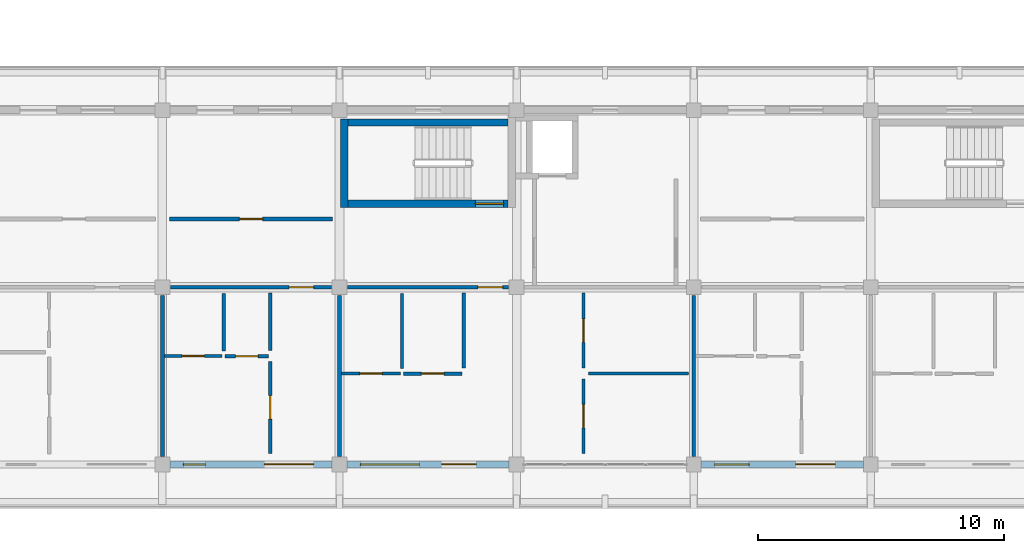
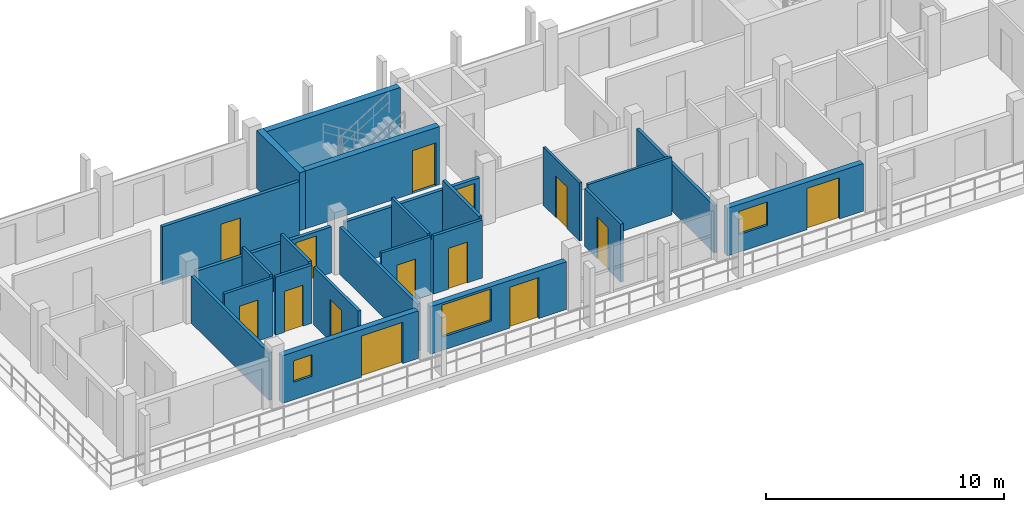
# One storey, part 51 of 76: 24 walls, 14 doors, 3 windows, 17 openings.
"""IFC4 building model written with IfcOpenShell, lengths in metres."""

from ifc_helpers import new_model, si_unit, direction, frame, frame_2d, origin, place, context, subcontext, project, spatial, rectangle, extrude, material, layer, layer_set, type_object, element, fill, save


model = new_model("IFC4")

# Units and contexts
model_context = context("Model", 3, precision=1e-05, world=origin(), true_north=direction((0.0, 1.0)))
body_context = subcontext(model_context, "Body", "Model", "MODEL_VIEW")
ifc_project = project(units=[si_unit("LENGTHUNIT", "METRE"), si_unit("AREAUNIT", "SQUARE_METRE"), si_unit("VOLUMEUNIT", "CUBIC_METRE"), si_unit("PLANEANGLEUNIT", "RADIAN"), si_unit("MASSUNIT", "GRAM", prefix="KILO")], contexts=[model_context])

# Site, building, storey
site_placement = place(None, origin())
site = spatial("IfcSite", under=ifc_project, at=site_placement, CompositionType="ELEMENT")
building_placement = place(site_placement, origin())
building = spatial("IfcBuilding", under=site, at=building_placement, Name="Suanplinth Sawtooth Commons", CompositionType="ELEMENT")
storey_placement = place(building_placement, frame((0.0, 0.0, 12.199951171875)))
storey = spatial("IfcBuildingStorey", under=building, at=storey_placement, Name="L03", CompositionType="ELEMENT", Elevation=12.199951171875)

# Wall, opening, door
ifc_material_1 = material(Name="Concrete C40/50", Category="concrete")
ifc_layer_1 = layer(ifc_material_1, 0.300048828125, Name="Standard RC stair and lift core wall 300mm")
ifc_layer_set_1 = layer_set([ifc_layer_1], Name="Concrete C40/50")
wall_type_1 = type_object("IfcWallType", Name="W-CR02", PredefinedType="SHEAR", material=ifc_layer_set_1)
wall_1_placement = place(storey_placement, frame((137.14990234375, 10.60009765625, 0.0), z_axis=(0.0, 0.0, 1.0), x_axis=(1.0, 0.0, 0.0)))
wall_1 = element("IfcWall", 1, at=wall_1_placement, inside=storey, type_object=wall_type_1, Name="W-L03-C-C1-STS", PredefinedType="SHEAR", context=body_context, shape_type="SweptSolid", body=[
    extrude(rectangle(XDim=6.5, YDim=0.300048828125, at=frame_2d((3.25, 0.0))), origin(), (0.0, 0.0, 1.0), 2.97998046875),
])
opening_1_placement = place(wall_1_placement, frame((5.169921875, 0.0, 0.0)))
opening_1 = element("IfcOpeningElement", 2, at=opening_1_placement, cuts=wall_1, Name="Opening FD0292", PredefinedType="OPENING", context=body_context, shape_type="SweptSolid", body=[
    extrude(rectangle(XDim=1.14990234375, YDim=2.199951171875, at=frame_2d((0.574951171875, 1.10009765625))), frame((0.0, 0.1650390625, 0.0), z_axis=(0.0, -1.0, 0.0), x_axis=(1.0, 0.0, 0.0)), (0.0, 0.0, 1.0), 0.329833984375),
])
ifc_material_2 = material(Name="Teak hardwood fire-rated door assembly", Category="wood")
door_type_1 = type_object("IfcDoorType", Name="FD-01", OperationType="NOTDEFINED", PredefinedType="DOOR", material=ifc_material_2)
door_1_placement = place(opening_1_placement, origin())
door_1 = element("IfcDoor", 3, at=door_1_placement, inside=storey, type_object=door_type_1, Name="Exit Stair Fire Door FD0292", OperationType="SINGLE_SWING_LEFT", OverallHeight=2.199951171875, OverallWidth=1.14990234375, PredefinedType="DOOR", context=body_context, shape_type="SweptSolid", body=[
    extrude(rectangle(XDim=1.14990234375, YDim=2.199951171875, at=frame_2d((0.574951171875, 1.10009765625))), frame((0.0, 0.02490234375, 0.0), z_axis=(0.0, -1.0, 0.0), x_axis=(1.0, 0.0, 0.0)), (0.0, 0.0, 1.0), 0.050048828125),
])
fill(opening_1, door_1)

# Walls
wall_2_placement = place(storey_placement, frame((137.14990234375, 13.89990234375, 0.0), z_axis=(0.0, 0.0, 1.0), x_axis=(1.0, 0.0, 0.0)))
element("IfcWall", 4, at=wall_2_placement, inside=storey, type_object=wall_type_1, Name="W-L03-C-C1-STN", PredefinedType="SHEAR", context=body_context, shape_type="SweptSolid", body=[
    extrude(rectangle(XDim=6.5, YDim=0.300048828125, at=frame_2d((3.25, 0.0))), origin(), (0.0, 0.0, 1.0), 2.97998046875),
])
wall_3_placement = place(storey_placement, frame((137.0, 10.449951171875, 0.0), z_axis=(0.0, 0.0, 1.0), x_axis=(0.0, 1.0, 0.0)))
element("IfcWall", 5, at=wall_3_placement, inside=storey, type_object=wall_type_1, Name="W-L03-C-C1-STW", PredefinedType="SHEAR", context=body_context, shape_type="SweptSolid", body=[
    extrude(rectangle(XDim=3.60009765625, YDim=0.300048828125, at=frame_2d((1.800048828125, 0.0))), origin(), (0.0, 0.0, 1.0), 2.97998046875),
])

# Wall, openings, door, window
ifc_material_3 = material(Name="Precast concrete C40/50", Category="concrete")
ifc_layer_2 = layer(ifc_material_3, 0.280029296875, Name="Insulated precast architectural facade wall 280mm")
ifc_layer_set_2 = layer_set([ifc_layer_2], Name="Precast concrete C40/50")
wall_type_2 = type_object("IfcWallType", Name="W-EX01", PredefinedType="ELEMENTEDWALL", material=ifc_layer_set_2)
wall_4_placement = place(storey_placement, frame((129.89990234375, 0.0, 0.0), z_axis=(0.0, 0.0, 1.0), x_axis=(1.0, 0.0, 0.0)))
wall_4 = element("IfcWall", 6, at=wall_4_placement, inside=storey, type_object=wall_type_2, Name="Facade Wall W-L03-C-S-18-0", PredefinedType="ELEMENTEDWALL", context=body_context, shape_type="SweptSolid", body=[
    extrude(rectangle(XDim=6.60009765625, YDim=0.280029296875, at=frame_2d((3.300048828125, 0.0))), origin(), (0.0, 0.0, 1.0), 2.445068359375),
])
opening_2_placement = place(wall_4_placement, frame((3.85009765625, 0.0, 0.0)))
opening_2 = element("IfcOpeningElement", 7, at=opening_2_placement, cuts=wall_4, Name="Opening ED0270", PredefinedType="OPENING", context=body_context, shape_type="SweptSolid", body=[
    extrude(rectangle(XDim=2.0, YDim=2.1201171875, at=frame_2d((1.0, 1.06005859375))), frame((0.0, 0.15478515625, 0.0), z_axis=(0.0, -1.0, 0.0), x_axis=(1.0, 0.0, 0.0)), (0.0, 0.0, 1.0), 0.309814453125),
])
opening_3_placement = place(wall_4_placement, frame((0.550048828125, 0.0, 0.89990234375)))
opening_3 = element("IfcOpeningElement", 8, at=opening_3_placement, cuts=wall_4, Name="Opening W0376", PredefinedType="OPENING", context=body_context, shape_type="SweptSolid", body=[
    extrude(rectangle(XDim=0.89990234375, YDim=1.10009765625, at=frame_2d((0.449951171875, 0.550048828125))), frame((0.0, 0.15478515625, 0.0), z_axis=(0.0, -1.0, 0.0), x_axis=(1.0, 0.0, 0.0)), (0.0, 0.0, 1.0), 0.309814453125),
])
ifc_material_4 = material(Name="Anodized aluminium and low-E glass", Category="aluminium")
door_type_2 = type_object("IfcDoorType", Name="SD-06", OperationType="DOUBLE_DOOR_SLIDING", PredefinedType="DOOR", material=ifc_material_4)
door_2_placement = place(opening_2_placement, frame((2.0, 0.0, 0.0), z_axis=(0.0, 0.0, 1.0), x_axis=(-1.0, 0.0, 0.0)))
door_2 = element("IfcDoor", 9, at=door_2_placement, inside=storey, type_object=door_type_2, Name="Balcony Sliding Door L03-C-18", OperationType="DOUBLE_DOOR_SLIDING", OverallHeight=2.1201171875, OverallWidth=2.0, PredefinedType="DOOR", context=body_context, shape_type="SweptSolid", body=[
    extrude(rectangle(XDim=2.0, YDim=2.1201171875, at=frame_2d((1.0, 1.06005859375))), frame((0.0, 0.02490234375, 0.0), z_axis=(0.0, -1.0, 0.0), x_axis=(1.0, 0.0, 0.0)), (0.0, 0.0, 1.0), 0.050048828125),
])
fill(opening_2, door_2)
ifc_material_5 = material(Name="Thermally broken aluminium and low-E double glazing", Category="aluminium")
window_type_1 = type_object("IfcWindowType", Name="WN-04", PartitioningType="SINGLE_PANEL", PredefinedType="WINDOW", material=ifc_material_5)
window_1_placement = place(opening_3_placement, origin())
window_1 = element("IfcWindow", 10, at=window_1_placement, inside=storey, type_object=window_type_1, Name="Apartment Window L03-C-18", OverallHeight=1.10009765625, OverallWidth=0.89990234375, PartitioningType="SINGLE_PANEL", PredefinedType="WINDOW", context=body_context, shape_type="SweptSolid", body=[
    extrude(rectangle(XDim=0.89990234375, YDim=1.10009765625, at=frame_2d((0.449951171875, 0.550048828125))), frame((0.0, 0.030029296875, 0.0), z_axis=(0.0, -1.0, 0.0), x_axis=(1.0, 0.0, 0.0)), (0.0, 0.0, 1.0), 0.06005859375),
])
fill(opening_3, window_1)

wall_5_placement = place(storey_placement, frame((137.10009765625, 0.0, 0.0), z_axis=(0.0, 0.0, 1.0), x_axis=(1.0, 0.0, 0.0)))
wall_5 = element("IfcWall", 11, at=wall_5_placement, inside=storey, type_object=wall_type_2, Name="Facade Wall W-L03-C-S-19-0", PredefinedType="ELEMENTEDWALL", context=body_context, shape_type="SweptSolid", body=[
    extrude(rectangle(XDim=6.599853515625, YDim=0.280029296875, at=frame_2d((3.2998046875, 0.0))), origin(), (0.0, 0.0, 1.0), 2.445068359375),
])
opening_4_placement = place(wall_5_placement, frame((3.85009765625, 0.0, 0.0)))
opening_4 = element("IfcOpeningElement", 12, at=opening_4_placement, cuts=wall_5, Name="Opening ED0272", PredefinedType="OPENING", context=body_context, shape_type="SweptSolid", body=[
    extrude(rectangle(XDim=1.39990234375, YDim=2.10009765625, at=frame_2d((0.699951171875, 1.050048828125))), frame((0.0, 0.15478515625, 0.0), z_axis=(0.0, -1.0, 0.0), x_axis=(1.0, 0.0, 0.0)), (0.0, 0.0, 1.0), 0.309814453125),
])
opening_5_placement = place(wall_5_placement, frame((0.550048828125, 0.0, 0.68505859375)))
opening_5 = element("IfcOpeningElement", 13, at=opening_5_placement, cuts=wall_5, Name="Opening W0378", PredefinedType="OPENING", context=body_context, shape_type="SweptSolid", body=[
    extrude(rectangle(XDim=2.39990234375, YDim=1.64990234375, at=frame_2d((1.199951171875, 0.824951171875))), frame((0.0, 0.15478515625, 0.0), z_axis=(0.0, -1.0, 0.0), x_axis=(1.0, 0.0, 0.0)), (0.0, 0.0, 1.0), 0.309814453125),
])
door_type_3 = type_object("IfcDoorType", Name="SD-07", OperationType="SLIDING_TO_RIGHT", PredefinedType="DOOR", material=ifc_material_4)
door_3_placement = place(opening_4_placement, frame((1.39990234375, 0.0, 0.0), z_axis=(0.0, 0.0, 1.0), x_axis=(-1.0, 0.0, 0.0)))
door_3 = element("IfcDoor", 14, at=door_3_placement, inside=storey, type_object=door_type_3, Name="Balcony Sliding Door L03-C-19", OperationType="SLIDING_TO_RIGHT", OverallHeight=2.10009765625, OverallWidth=1.39990234375, PredefinedType="DOOR", context=body_context, shape_type="SweptSolid", body=[
    extrude(rectangle(XDim=1.39990234375, YDim=2.10009765625, at=frame_2d((0.699951171875, 1.050048828125))), frame((0.0, 0.02490234375, 0.0), z_axis=(0.0, -1.0, 0.0), x_axis=(1.0, 0.0, 0.0)), (0.0, 0.0, 1.0), 0.050048828125),
])
fill(opening_4, door_3)
window_type_2 = type_object("IfcWindowType", Name="WN-05", PartitioningType="TRIPLE_PANEL_VERTICAL", PredefinedType="WINDOW", material=ifc_material_5)
window_2_placement = place(opening_5_placement, origin())
window_2 = element("IfcWindow", 15, at=window_2_placement, inside=storey, type_object=window_type_2, Name="Apartment Window L03-C-19", OverallHeight=1.64990234375, OverallWidth=2.39990234375, PartitioningType="TRIPLE_PANEL_VERTICAL", PredefinedType="WINDOW", context=body_context, shape_type="SweptSolid", body=[
    extrude(rectangle(XDim=2.39990234375, YDim=1.64990234375, at=frame_2d((1.199951171875, 0.824951171875))), frame((0.0, 0.030029296875, 0.0), z_axis=(0.0, -1.0, 0.0), x_axis=(1.0, 0.0, 0.0)), (0.0, 0.0, 1.0), 0.06005859375),
])
fill(opening_5, window_2)

wall_6_placement = place(storey_placement, frame((151.5, 0.0, 0.0), z_axis=(0.0, 0.0, 1.0), x_axis=(1.0, 0.0, 0.0)))
wall_6 = element("IfcWall", 16, at=wall_6_placement, inside=storey, type_object=wall_type_2, Name="Facade Wall W-L03-C-S-21-0", PredefinedType="ELEMENTEDWALL", context=body_context, shape_type="SweptSolid", body=[
    extrude(rectangle(XDim=6.60009765625, YDim=0.280029296875, at=frame_2d((3.300048828125, 0.0))), origin(), (0.0, 0.0, 1.0), 2.445068359375),
])
opening_6_placement = place(wall_6_placement, frame((3.85009765625, 0.0, 0.0)))
opening_6 = element("IfcOpeningElement", 17, at=opening_6_placement, cuts=wall_6, Name="Opening ED0273", PredefinedType="OPENING", context=body_context, shape_type="SweptSolid", body=[
    extrude(rectangle(XDim=1.60009765625, YDim=2.1201171875, at=frame_2d((0.800048828125, 1.06005859375))), frame((0.0, 0.15478515625, 0.0), z_axis=(0.0, -1.0, 0.0), x_axis=(1.0, 0.0, 0.0)), (0.0, 0.0, 1.0), 0.309814453125),
])
opening_7_placement = place(wall_6_placement, frame((0.550048828125, 0.0, 0.89990234375)))
opening_7 = element("IfcOpeningElement", 18, at=opening_7_placement, cuts=wall_6, Name="Opening W0381", PredefinedType="OPENING", context=body_context, shape_type="SweptSolid", body=[
    extrude(rectangle(XDim=1.39990234375, YDim=1.199951171875, at=frame_2d((0.699951171875, 0.60009765625))), frame((0.0, 0.15478515625, 0.0), z_axis=(0.0, -1.0, 0.0), x_axis=(1.0, 0.0, 0.0)), (0.0, 0.0, 1.0), 0.309814453125),
])
door_type_4 = type_object("IfcDoorType", Name="SD-02", OperationType="SLIDING_TO_RIGHT", PredefinedType="DOOR", material=ifc_material_4)
door_4_placement = place(opening_6_placement, frame((1.60009765625, 0.0, 0.0), z_axis=(0.0, 0.0, 1.0), x_axis=(-1.0, 0.0, 0.0)))
door_4 = element("IfcDoor", 19, at=door_4_placement, inside=storey, type_object=door_type_4, Name="Balcony Sliding Door L03-C-21", OperationType="SLIDING_TO_RIGHT", OverallHeight=2.1201171875, OverallWidth=1.60009765625, PredefinedType="DOOR", context=body_context, shape_type="SweptSolid", body=[
    extrude(rectangle(XDim=1.60009765625, YDim=2.1201171875, at=frame_2d((0.800048828125, 1.06005859375))), frame((0.0, 0.02490234375, 0.0), z_axis=(0.0, -1.0, 0.0), x_axis=(1.0, 0.0, 0.0)), (0.0, 0.0, 1.0), 0.050048828125),
])
fill(opening_6, door_4)
window_type_3 = type_object("IfcWindowType", Name="WN-10", PartitioningType="DOUBLE_PANEL_HORIZONTAL", PredefinedType="WINDOW", material=ifc_material_5)
window_3_placement = place(opening_7_placement, origin())
window_3 = element("IfcWindow", 20, at=window_3_placement, inside=storey, type_object=window_type_3, Name="Apartment Window L03-C-21", OverallHeight=1.199951171875, OverallWidth=1.39990234375, PartitioningType="DOUBLE_PANEL_HORIZONTAL", PredefinedType="WINDOW", context=body_context, shape_type="SweptSolid", body=[
    extrude(rectangle(XDim=1.39990234375, YDim=1.199951171875, at=frame_2d((0.699951171875, 0.60009765625))), frame((0.0, 0.030029296875, 0.0), z_axis=(0.0, -1.0, 0.0), x_axis=(1.0, 0.0, 0.0)), (0.0, 0.0, 1.0), 0.06005859375),
])
fill(opening_7, window_3)

# Wall, opening, door
ifc_layer_3 = layer(ifc_material_3, 0.159912109375, Name="Fire-rated corridor and lobby wall 160mm")
ifc_layer_set_3 = layer_set([ifc_layer_3], Name="Precast concrete C40/50")
wall_type_3 = type_object("IfcWallType", Name="W-FW01", PredefinedType="PARTITIONING", material=ifc_layer_set_3)
wall_7_placement = place(storey_placement, frame((129.929931640625, 7.199951171875, 0.0), z_axis=(0.0, 0.0, 1.0), x_axis=(1.0, 0.0, 0.0)))
wall_7 = element("IfcWall", 21, at=wall_7_placement, inside=storey, type_object=wall_type_3, Name="W-C-L03-U02-COR", PredefinedType="PARTITIONING", context=body_context, shape_type="SweptSolid", body=[
    extrude(rectangle(XDim=6.5400390625, YDim=0.159912109375, at=frame_2d((3.27001953125, 0.0))), origin(), (0.0, 0.0, 1.0), 2.364990234375),
])
opening_8_placement = place(wall_7_placement, frame((4.820068359375, 0.0, 0.0)))
opening_8 = element("IfcOpeningElement", 22, at=opening_8_placement, cuts=wall_7, Name="Opening FD0964", PredefinedType="OPENING", context=body_context, shape_type="SweptSolid", body=[
    extrude(rectangle(XDim=1.0, YDim=2.14990234375, at=frame_2d((0.5, 1.074951171875))), frame((0.0, 0.0947265625, 0.0), z_axis=(0.0, -1.0, 0.0), x_axis=(1.0, 0.0, 0.0)), (0.0, 0.0, 1.0), 0.189697265625),
])
door_type_5 = type_object("IfcDoorType", Name="FD-03", OperationType="NOTDEFINED", PredefinedType="DOOR", material=ifc_material_2)
door_5_placement = place(opening_8_placement, frame((1.0, 0.0, 0.0), z_axis=(0.0, 0.0, 1.0), x_axis=(-1.0, 0.0, 0.0)))
door_5 = element("IfcDoor", 23, at=door_5_placement, inside=storey, type_object=door_type_5, Name="Unit Entrance Door FD0964", OperationType="SINGLE_SWING_RIGHT", OverallHeight=2.14990234375, OverallWidth=1.0, PredefinedType="DOOR", context=body_context, shape_type="SweptSolid", body=[
    extrude(rectangle(XDim=1.0, YDim=2.14990234375, at=frame_2d((0.5, 1.074951171875))), frame((0.0, 0.02490234375, 0.0), z_axis=(0.0, -1.0, 0.0), x_axis=(1.0, 0.0, 0.0)), (0.0, 0.0, 1.0), 0.050048828125),
])
fill(opening_8, door_5)

wall_8_placement = place(storey_placement, frame((137.1298828125, 7.199951171875, 0.0), z_axis=(0.0, 0.0, 1.0), x_axis=(1.0, 0.0, 0.0)))
wall_8 = element("IfcWall", 24, at=wall_8_placement, inside=storey, type_object=wall_type_3, Name="W-C-L03-U03-COR-S1", PredefinedType="PARTITIONING", context=body_context, shape_type="SweptSolid", body=[
    extrude(rectangle(XDim=6.5400390625, YDim=0.159912109375, at=frame_2d((3.27001953125, 0.0))), origin(), (0.0, 0.0, 1.0), 2.364990234375),
])
opening_9_placement = place(wall_8_placement, frame((5.300048828125, 0.0, 0.0)))
opening_9 = element("IfcOpeningElement", 25, at=opening_9_placement, cuts=wall_8, Name="Opening FD0968", PredefinedType="OPENING", context=body_context, shape_type="SweptSolid", body=[
    extrude(rectangle(XDim=1.0, YDim=2.14990234375, at=frame_2d((0.5, 1.074951171875))), frame((0.0, 0.0947265625, 0.0), z_axis=(0.0, -1.0, 0.0), x_axis=(1.0, 0.0, 0.0)), (0.0, 0.0, 1.0), 0.189697265625),
])
door_6_placement = place(opening_9_placement, frame((1.0, 0.0, 0.0), z_axis=(0.0, 0.0, 1.0), x_axis=(-1.0, 0.0, 0.0)))
door_6 = element("IfcDoor", 26, at=door_6_placement, inside=storey, type_object=door_type_5, Name="Unit Entrance Door FD0968", OperationType="SINGLE_SWING_RIGHT", OverallHeight=2.14990234375, OverallWidth=1.0, PredefinedType="DOOR", context=body_context, shape_type="SweptSolid", body=[
    extrude(rectangle(XDim=1.0, YDim=2.14990234375, at=frame_2d((0.5, 1.074951171875))), frame((0.0, 0.02490234375, 0.0), z_axis=(0.0, -1.0, 0.0), x_axis=(1.0, 0.0, 0.0)), (0.0, 0.0, 1.0), 0.050048828125),
])
fill(opening_9, door_6)

wall_9_placement = place(storey_placement, frame((129.8798828125, 9.97998046875, 0.0), z_axis=(0.0, 0.0, 1.0), x_axis=(1.0, 0.0, 0.0)))
wall_9 = element("IfcWall", 27, at=wall_9_placement, inside=storey, type_object=wall_type_3, Name="W-C-L03-COURTROOM-49-COR", PredefinedType="PARTITIONING", context=body_context, shape_type="SweptSolid", body=[
    extrude(rectangle(XDim=6.64013671875, YDim=0.159912109375, at=frame_2d((3.320068359375, 0.0))), origin(), (0.0, 0.0, 1.0), 2.97998046875),
])
opening_10_placement = place(wall_9_placement, frame((2.85009765625, 0.0, 0.0)))
opening_10 = element("IfcOpeningElement", 28, at=opening_10_placement, cuts=wall_9, Name="Opening D0990", PredefinedType="OPENING", context=body_context, shape_type="SweptSolid", body=[
    extrude(rectangle(XDim=0.93994140625, YDim=2.1201171875, at=frame_2d((0.469970703125, 1.06005859375))), frame((0.0, 0.0947265625, 0.0), z_axis=(0.0, -1.0, 0.0), x_axis=(1.0, 0.0, 0.0)), (0.0, 0.0, 1.0), 0.189697265625),
])
ifc_material_6 = material(Name="Teak hardwood", Category="wood")
door_type_6 = type_object("IfcDoorType", Name="D-15", OperationType="NOTDEFINED", PredefinedType="DOOR", material=ifc_material_6)
door_7_placement = place(opening_10_placement, origin())
door_7 = element("IfcDoor", 29, at=door_7_placement, inside=storey, type_object=door_type_6, Name="Study Studio Door D0990", OperationType="SINGLE_SWING_RIGHT", OverallHeight=2.1201171875, OverallWidth=0.93994140625, PredefinedType="DOOR", context=body_context, shape_type="SweptSolid", body=[
    extrude(rectangle(XDim=0.93994140625, YDim=2.1201171875, at=frame_2d((0.469970703125, 1.06005859375))), frame((0.0, 0.02490234375, 0.0), z_axis=(0.0, -1.0, 0.0), x_axis=(1.0, 0.0, 0.0)), (0.0, 0.0, 1.0), 0.050048828125),
])
fill(opening_10, door_7)

# Walls
ifc_layer_4 = layer(ifc_material_3, 0.14990234375, Name="Acoustic precast party demising wall 150mm")
ifc_layer_set_4 = layer_set([ifc_layer_4], Name="Precast concrete C40/50")
wall_type_4 = type_object("IfcWallType", Name="W-FW02", PredefinedType="PARTITIONING", material=ifc_layer_set_4)
for number, where, z_axis, x_axis, name in (
    (30, (129.60009765625, 0.330078125, 0.0), (0.0, 0.0, 1.0), (0.0, 1.0, 0.0), "W-C-L03-U01-PTY"),
    (31, (136.800048828125, 0.330078125, 0.0), (0.0, 0.0, 1.0), (0.0, 1.0, 0.0), "W-C-L03-U02-PTY"),
    (32, (151.199951171875, 0.330078125, 0.0), (0.0, 0.0, 1.0), (0.0, 1.0, 0.0), "W-C-L03-U03-PTY"),
):
    element("IfcWall", number, at=place(storey_placement, frame(where, z_axis=z_axis, x_axis=x_axis)), inside=storey, type_object=wall_type_4, Name=name, PredefinedType="PARTITIONING", context=body_context, shape_type="SweptSolid", body=[
        extrude(rectangle(XDim=6.5400390625, YDim=0.14990234375, at=frame_2d((3.27001953125, 0.0))), origin(), (0.0, 0.0, 1.0), 2.4150390625),
    ])

# Wall, opening, door
ifc_material_7 = material(Name="Gypsum plasterboard on steel stud", Category="steel")
ifc_layer_5 = layer(ifc_material_7, 0.139892578125, Name="Fire-rated kitchen partition 140mm")
ifc_layer_set_5 = layer_set([ifc_layer_5], Name="Gypsum plasterboard on steel stud")
wall_type_5 = type_object("IfcWallType", Name="W-PT01", PredefinedType="PARTITIONING", material=ifc_layer_set_5)
wall_10_placement = place(storey_placement, frame((132.14990234375, 4.39990234375, 0.0), z_axis=(0.0, 0.0, 1.0), x_axis=(1.0, 0.0, 0.0)))
wall_10 = element("IfcWall", 33, at=wall_10_placement, inside=storey, type_object=wall_type_5, Name="W-C-L03-U02-KIT1", PredefinedType="PARTITIONING", context=body_context, shape_type="SweptSolid", body=[
    extrude(rectangle(XDim=1.77001953125, YDim=0.139892578125, at=frame_2d((0.885009765625, 0.0))), origin(), (0.0, 0.0, 1.0), 2.97998046875),
])
opening_11_placement = place(wall_10_placement, frame((0.425048828125, 0.0, 0.0)))
opening_11 = element("IfcOpeningElement", 34, at=opening_11_placement, cuts=wall_10, Name="Opening D0966", PredefinedType="OPENING", context=body_context, shape_type="SweptSolid", body=[
    extrude(rectangle(XDim=0.919921875, YDim=2.10009765625, at=frame_2d((0.4599609375, 1.050048828125))), frame((0.0, 0.0849609375, 0.0), z_axis=(0.0, -1.0, 0.0), x_axis=(1.0, 0.0, 0.0)), (0.0, 0.0, 1.0), 0.169677734375),
])
door_type_7 = type_object("IfcDoorType", Name="D-02", OperationType="NOTDEFINED", PredefinedType="DOOR", material=ifc_material_6)
door_8_placement = place(opening_11_placement, origin())
door_8 = element("IfcDoor", 35, at=door_8_placement, inside=storey, type_object=door_type_7, Name="Kitchen Door D0966", OperationType="SINGLE_SWING_RIGHT", OverallHeight=2.10009765625, OverallWidth=0.919921875, PredefinedType="DOOR", context=body_context, shape_type="SweptSolid", body=[
    extrude(rectangle(XDim=0.919921875, YDim=2.10009765625, at=frame_2d((0.4599609375, 1.050048828125))), frame((0.0, 0.02490234375, 0.0), z_axis=(0.0, -1.0, 0.0), x_axis=(1.0, 0.0, 0.0)), (0.0, 0.0, 1.0), 0.050048828125),
])
fill(opening_11, door_8)

# Wall
wall_11_placement = place(storey_placement, frame((133.989990234375, 4.6201171875, 0.0), z_axis=(0.0, 0.0, 1.0), x_axis=(0.0, 1.0, 0.0)))
element("IfcWall", 36, at=wall_11_placement, inside=storey, type_object=wall_type_5, Name="W-C-L03-U02-KIT2", PredefinedType="PARTITIONING", context=body_context, shape_type="SweptSolid", body=[
    extrude(rectangle(XDim=2.349853515625, YDim=0.139892578125, at=frame_2d((1.1748046875, 0.0))), origin(), (0.0, 0.0, 1.0), 2.97998046875),
])

# Wall, opening, door
wall_12_placement = place(storey_placement, frame((139.39990234375, 3.68994140625, 0.0), z_axis=(0.0, 0.0, 1.0), x_axis=(1.0, 0.0, 0.0)))
wall_12 = element("IfcWall", 37, at=wall_12_placement, inside=storey, type_object=wall_type_5, Name="W-C-L03-U03-KIT1", PredefinedType="PARTITIONING", context=body_context, shape_type="SweptSolid", body=[
    extrude(rectangle(XDim=2.380126953125, YDim=0.139892578125, at=frame_2d((1.18994140625, 0.0))), origin(), (0.0, 0.0, 1.0), 2.97998046875),
])
opening_12_placement = place(wall_12_placement, frame((0.72998046875, 0.0, 0.0)))
opening_12 = element("IfcOpeningElement", 38, at=opening_12_placement, cuts=wall_12, Name="Opening D0970", PredefinedType="OPENING", context=body_context, shape_type="SweptSolid", body=[
    extrude(rectangle(XDim=0.919921875, YDim=2.10009765625, at=frame_2d((0.4599609375, 1.050048828125))), frame((0.0, 0.0849609375, 0.0), z_axis=(0.0, -1.0, 0.0), x_axis=(1.0, 0.0, 0.0)), (0.0, 0.0, 1.0), 0.169677734375),
])
door_9_placement = place(opening_12_placement, origin())
door_9 = element("IfcDoor", 39, at=door_9_placement, inside=storey, type_object=door_type_7, Name="Kitchen Door D0970", OperationType="SINGLE_SWING_RIGHT", OverallHeight=2.10009765625, OverallWidth=0.919921875, PredefinedType="DOOR", context=body_context, shape_type="SweptSolid", body=[
    extrude(rectangle(XDim=0.919921875, YDim=2.10009765625, at=frame_2d((0.4599609375, 1.050048828125))), frame((0.0, 0.02490234375, 0.0), z_axis=(0.0, -1.0, 0.0), x_axis=(1.0, 0.0, 0.0)), (0.0, 0.0, 1.0), 0.050048828125),
])
fill(opening_12, door_9)

# Wall
wall_13_placement = place(storey_placement, frame((141.85009765625, 3.909912109375, 0.0), z_axis=(0.0, 0.0, 1.0), x_axis=(0.0, 1.0, 0.0)))
element("IfcWall", 40, at=wall_13_placement, inside=storey, type_object=wall_type_5, Name="W-C-L03-U03-KIT2", PredefinedType="PARTITIONING", context=body_context, shape_type="SweptSolid", body=[
    extrude(rectangle(XDim=3.06005859375, YDim=0.139892578125, at=frame_2d((1.530029296875, 0.0))), origin(), (0.0, 0.0, 1.0), 2.97998046875),
])

# Wall, opening, door
ifc_layer_6 = layer(ifc_material_7, 0.1298828125, Name="Moisture-resistant bathroom partition 130mm")
ifc_layer_set_6 = layer_set([ifc_layer_6], Name="Gypsum plasterboard on steel stud")
wall_type_6 = type_object("IfcWallType", Name="W-PT02", PredefinedType="PARTITIONING", material=ifc_layer_set_6)
wall_14_placement = place(storey_placement, frame((129.679931640625, 4.405029296875, 0.0), z_axis=(0.0, 0.0, 1.0), x_axis=(1.0, 0.0, 0.0)))
wall_14 = element("IfcWall", 41, at=wall_14_placement, inside=storey, type_object=wall_type_6, Name="W-C-L03-U02-BTH1", PredefinedType="PARTITIONING", context=body_context, shape_type="SweptSolid", body=[
    extrude(rectangle(XDim=2.35009765625, YDim=0.1298828125, at=frame_2d((1.175048828125, 0.0))), origin(), (0.0, 0.0, 1.0), 2.97998046875),
])
opening_13_placement = place(wall_14_placement, frame((0.72509765625, 0.0, 0.0)))
opening_13 = element("IfcOpeningElement", 42, at=opening_13_placement, cuts=wall_14, Name="Opening D0965", PredefinedType="OPENING", context=body_context, shape_type="SweptSolid", body=[
    extrude(rectangle(XDim=0.89990234375, YDim=2.10009765625, at=frame_2d((0.449951171875, 1.050048828125))), frame((0.0, 0.079833984375, 0.0), z_axis=(0.0, -1.0, 0.0), x_axis=(1.0, 0.0, 0.0)), (0.0, 0.0, 1.0), 0.15966796875),
])
door_type_8 = type_object("IfcDoorType", Name="D-01", OperationType="NOTDEFINED", PredefinedType="DOOR", material=ifc_material_6)
door_10_placement = place(opening_13_placement, origin())
door_10 = element("IfcDoor", 43, at=door_10_placement, inside=storey, type_object=door_type_8, Name="Bathroom Door D0965", OperationType="SINGLE_SWING_LEFT", OverallHeight=2.10009765625, OverallWidth=0.89990234375, PredefinedType="DOOR", context=body_context, shape_type="SweptSolid", body=[
    extrude(rectangle(XDim=0.89990234375, YDim=2.10009765625, at=frame_2d((0.449951171875, 1.050048828125))), frame((0.0, 0.02490234375, 0.0), z_axis=(0.0, -1.0, 0.0), x_axis=(1.0, 0.0, 0.0)), (0.0, 0.0, 1.0), 0.050048828125),
])
fill(opening_13, door_10)

# Wall
wall_15_placement = place(storey_placement, frame((132.094970703125, 4.610107421875, 0.0), z_axis=(0.0, 0.0, 1.0), x_axis=(0.0, 1.0, 0.0)))
element("IfcWall", 44, at=wall_15_placement, inside=storey, type_object=wall_type_6, Name="W-C-L03-U02-BTH2", PredefinedType="PARTITIONING", context=body_context, shape_type="SweptSolid", body=[
    extrude(rectangle(XDim=2.329833984375, YDim=0.1298828125, at=frame_2d((1.1650390625, 0.0))), origin(), (0.0, 0.0, 1.0), 2.97998046875),
])

# Wall, opening, door
wall_16_placement = place(storey_placement, frame((136.8798828125, 3.695068359375, 0.0), z_axis=(0.0, 0.0, 1.0), x_axis=(1.0, 0.0, 0.0)))
wall_16 = element("IfcWall", 45, at=wall_16_placement, inside=storey, type_object=wall_type_6, Name="W-C-L03-U03-BTH1", PredefinedType="PARTITIONING", context=body_context, shape_type="SweptSolid", body=[
    extrude(rectangle(XDim=2.400146484375, YDim=0.1298828125, at=frame_2d((1.2001953125, 0.0))), origin(), (0.0, 0.0, 1.0), 2.97998046875),
])
opening_14_placement = place(wall_16_placement, frame((0.75, 0.0, 0.0)))
opening_14 = element("IfcOpeningElement", 46, at=opening_14_placement, cuts=wall_16, Name="Opening D0969", PredefinedType="OPENING", context=body_context, shape_type="SweptSolid", body=[
    extrude(rectangle(XDim=0.89990234375, YDim=2.10009765625, at=frame_2d((0.449951171875, 1.050048828125))), frame((0.0, 0.079833984375, 0.0), z_axis=(0.0, -1.0, 0.0), x_axis=(1.0, 0.0, 0.0)), (0.0, 0.0, 1.0), 0.15966796875),
])
door_11_placement = place(opening_14_placement, origin())
door_11 = element("IfcDoor", 47, at=door_11_placement, inside=storey, type_object=door_type_8, Name="Bathroom Door D0969", OperationType="SINGLE_SWING_LEFT", OverallHeight=2.10009765625, OverallWidth=0.89990234375, PredefinedType="DOOR", context=body_context, shape_type="SweptSolid", body=[
    extrude(rectangle(XDim=0.89990234375, YDim=2.10009765625, at=frame_2d((0.449951171875, 1.050048828125))), frame((0.0, 0.02490234375, 0.0), z_axis=(0.0, -1.0, 0.0), x_axis=(1.0, 0.0, 0.0)), (0.0, 0.0, 1.0), 0.050048828125),
])
fill(opening_14, door_11)

# Wall
wall_17_placement = place(storey_placement, frame((139.344970703125, 3.89990234375, 0.0), z_axis=(0.0, 0.0, 1.0), x_axis=(0.0, 1.0, 0.0)))
element("IfcWall", 48, at=wall_17_placement, inside=storey, type_object=wall_type_6, Name="W-C-L03-U03-BTH2", PredefinedType="PARTITIONING", context=body_context, shape_type="SweptSolid", body=[
    extrude(rectangle(XDim=3.0400390625, YDim=0.1298828125, at=frame_2d((1.52001953125, 0.0))), origin(), (0.0, 0.0, 1.0), 2.97998046875),
])

# Wall, opening, door
ifc_layer_7 = layer(ifc_material_7, 0.1201171875, Name="Acoustic bedroom partition 120mm")
ifc_layer_set_7 = layer_set([ifc_layer_7], Name="Gypsum plasterboard on steel stud")
wall_type_7 = type_object("IfcWallType", Name="W-PT03", PredefinedType="PARTITIONING", material=ifc_layer_set_7)
wall_18_placement = place(storey_placement, frame((146.719970703125, 3.919921875, 0.0), z_axis=(0.0, 0.0, 1.0), x_axis=(0.0, 1.0, 0.0)))
wall_18 = element("IfcWall", 49, at=wall_18_placement, inside=storey, type_object=wall_type_7, Name="W-C-L03-U03-BED2", PredefinedType="PARTITIONING", context=body_context, shape_type="SweptSolid", body=[
    extrude(rectangle(XDim=3.0400390625, YDim=0.1201171875, at=frame_2d((1.52001953125, 0.0))), origin(), (0.0, 0.0, 1.0), 2.97998046875),
])
opening_15_placement = place(wall_18_placement, frame((1.0400390625, 0.0, 0.0)))
opening_15 = element("IfcOpeningElement", 50, at=opening_15_placement, cuts=wall_18, Name="Opening D0972", PredefinedType="OPENING", context=body_context, shape_type="SweptSolid", body=[
    extrude(rectangle(XDim=0.9599609375, YDim=2.14990234375, at=frame_2d((0.47998046875, 1.074951171875))), frame((0.0, 0.074951171875, 0.0), z_axis=(0.0, -1.0, 0.0), x_axis=(1.0, 0.0, 0.0)), (0.0, 0.0, 1.0), 0.14990234375),
])
door_type_9 = type_object("IfcDoorType", Name="D-13", OperationType="NOTDEFINED", PredefinedType="DOOR", material=ifc_material_6)
door_12_placement = place(opening_15_placement, frame((0.9599609375, 0.0, 0.0), z_axis=(0.0, 0.0, 1.0), x_axis=(-1.0, 0.0, 0.0)))
door_12 = element("IfcDoor", 51, at=door_12_placement, inside=storey, type_object=door_type_9, Name="Second Bedroom Door D0972", OperationType="SINGLE_SWING_RIGHT", OverallHeight=2.14990234375, OverallWidth=0.9599609375, PredefinedType="DOOR", context=body_context, shape_type="SweptSolid", body=[
    extrude(rectangle(XDim=0.9599609375, YDim=2.14990234375, at=frame_2d((0.47998046875, 1.074951171875))), frame((0.0, 0.02490234375, 0.0), z_axis=(0.0, -1.0, 0.0), x_axis=(1.0, 0.0, 0.0)), (0.0, 0.0, 1.0), 0.050048828125),
])
fill(opening_15, door_12)

# Wall
ifc_layer_8 = layer(ifc_material_7, 0.125, Name="Acoustic study partition 125mm")
ifc_layer_set_8 = layer_set([ifc_layer_8], Name="Gypsum plasterboard on steel stud")
wall_type_8 = type_object("IfcWallType", Name="W-PT06", PredefinedType="PARTITIONING", material=ifc_layer_set_8)
wall_19_placement = place(storey_placement, frame((146.919921875, 3.699951171875, 0.0), z_axis=(0.0, 0.0, 1.0), x_axis=(1.0, 0.0, 0.0)))
element("IfcWall", 52, at=wall_19_placement, inside=storey, type_object=wall_type_8, Name="W-C-L03-U03-BEDDIV", PredefinedType="PARTITIONING", context=body_context, shape_type="SweptSolid", body=[
    extrude(rectangle(XDim=4.06005859375, YDim=0.125, at=frame_2d((2.030029296875, 0.0))), origin(), (0.0, 0.0, 1.0), 2.97998046875),
])

# Wall, opening, door
ifc_layer_9 = layer(ifc_material_7, 0.135009765625, Name="Insulated bedroom demising partition 135mm")
ifc_layer_set_9 = layer_set([ifc_layer_9], Name="Gypsum plasterboard on steel stud")
wall_type_9 = type_object("IfcWallType", Name="W-PT07", PredefinedType="PARTITIONING", material=ifc_layer_set_9)
wall_20_placement = place(storey_placement, frame((133.97998046875, 0.43994140625, 0.0), z_axis=(0.0, 0.0, 1.0), x_axis=(0.0, 1.0, 0.0)))
wall_20 = element("IfcWall", 53, at=wall_20_placement, inside=storey, type_object=wall_type_9, Name="W-C-L03-U02-BED1", PredefinedType="PARTITIONING", context=body_context, shape_type="SweptSolid", body=[
    extrude(rectangle(XDim=3.75, YDim=0.135009765625, at=frame_2d((1.875, 0.0))), origin(), (0.0, 0.0, 1.0), 2.97998046875),
])
opening_16_placement = place(wall_20_placement, frame((1.39990234375, 0.0, 0.0)))
opening_16 = element("IfcOpeningElement", 54, at=opening_16_placement, cuts=wall_20, Name="Opening D0967", PredefinedType="OPENING", context=body_context, shape_type="SweptSolid", body=[
    extrude(rectangle(XDim=0.949951171875, YDim=2.14990234375, at=frame_2d((0.47509765625, 1.074951171875))), frame((0.0, 0.08251953125, 0.0), z_axis=(0.0, -1.0, 0.0), x_axis=(1.0, 0.0, 0.0)), (0.0, 0.0, 1.0), 0.164794921875),
])
door_type_10 = type_object("IfcDoorType", Name="D-03", OperationType="NOTDEFINED", PredefinedType="DOOR", material=ifc_material_6)
door_13_placement = place(opening_16_placement, origin())
door_13 = element("IfcDoor", 55, at=door_13_placement, inside=storey, type_object=door_type_10, Name="Bedroom Door D0967", OperationType="SINGLE_SWING_LEFT", OverallHeight=2.14990234375, OverallWidth=0.949951171875, PredefinedType="DOOR", context=body_context, shape_type="SweptSolid", body=[
    extrude(rectangle(XDim=0.949951171875, YDim=2.14990234375, at=frame_2d((0.47509765625, 1.074951171875))), frame((0.0, 0.02490234375, 0.0), z_axis=(0.0, -1.0, 0.0), x_axis=(1.0, 0.0, 0.0)), (0.0, 0.0, 1.0), 0.050048828125),
])
fill(opening_16, door_13)

wall_21_placement = place(storey_placement, frame((146.719970703125, 0.43994140625, 0.0), z_axis=(0.0, 0.0, 1.0), x_axis=(0.0, 1.0, 0.0)))
wall_21 = element("IfcWall", 56, at=wall_21_placement, inside=storey, type_object=wall_type_9, Name="W-C-L03-U03-BED1", PredefinedType="PARTITIONING", context=body_context, shape_type="SweptSolid", body=[
    extrude(rectangle(XDim=3.0400390625, YDim=0.135009765625, at=frame_2d((1.52001953125, 0.0))), origin(), (0.0, 0.0, 1.0), 2.97998046875),
])
opening_17_placement = place(wall_21_placement, frame((1.044921875, 0.0, 0.0)))
opening_17 = element("IfcOpeningElement", 57, at=opening_17_placement, cuts=wall_21, Name="Opening D0971", PredefinedType="OPENING", context=body_context, shape_type="SweptSolid", body=[
    extrude(rectangle(XDim=0.949951171875, YDim=2.14990234375, at=frame_2d((0.47509765625, 1.074951171875))), frame((0.0, 0.08251953125, 0.0), z_axis=(0.0, -1.0, 0.0), x_axis=(1.0, 0.0, 0.0)), (0.0, 0.0, 1.0), 0.164794921875),
])
door_14_placement = place(opening_17_placement, frame((0.949951171875, 0.0, 0.0), z_axis=(0.0, 0.0, 1.0), x_axis=(-1.0, 0.0, 0.0)))
door_14 = element("IfcDoor", 58, at=door_14_placement, inside=storey, type_object=door_type_10, Name="Bedroom Door D0971", OperationType="SINGLE_SWING_LEFT", OverallHeight=2.14990234375, OverallWidth=0.949951171875, PredefinedType="DOOR", context=body_context, shape_type="SweptSolid", body=[
    extrude(rectangle(XDim=0.949951171875, YDim=2.14990234375, at=frame_2d((0.47509765625, 1.074951171875))), frame((0.0, 0.02490234375, 0.0), z_axis=(0.0, -1.0, 0.0), x_axis=(1.0, 0.0, 0.0)), (0.0, 0.0, 1.0), 0.050048828125),
])
fill(opening_17, door_14)

save(model, "model.ifc")
